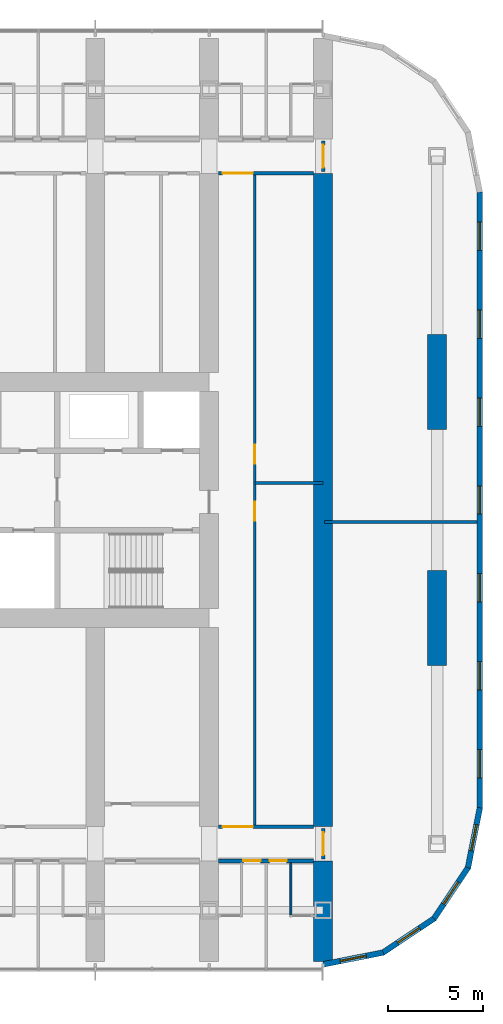
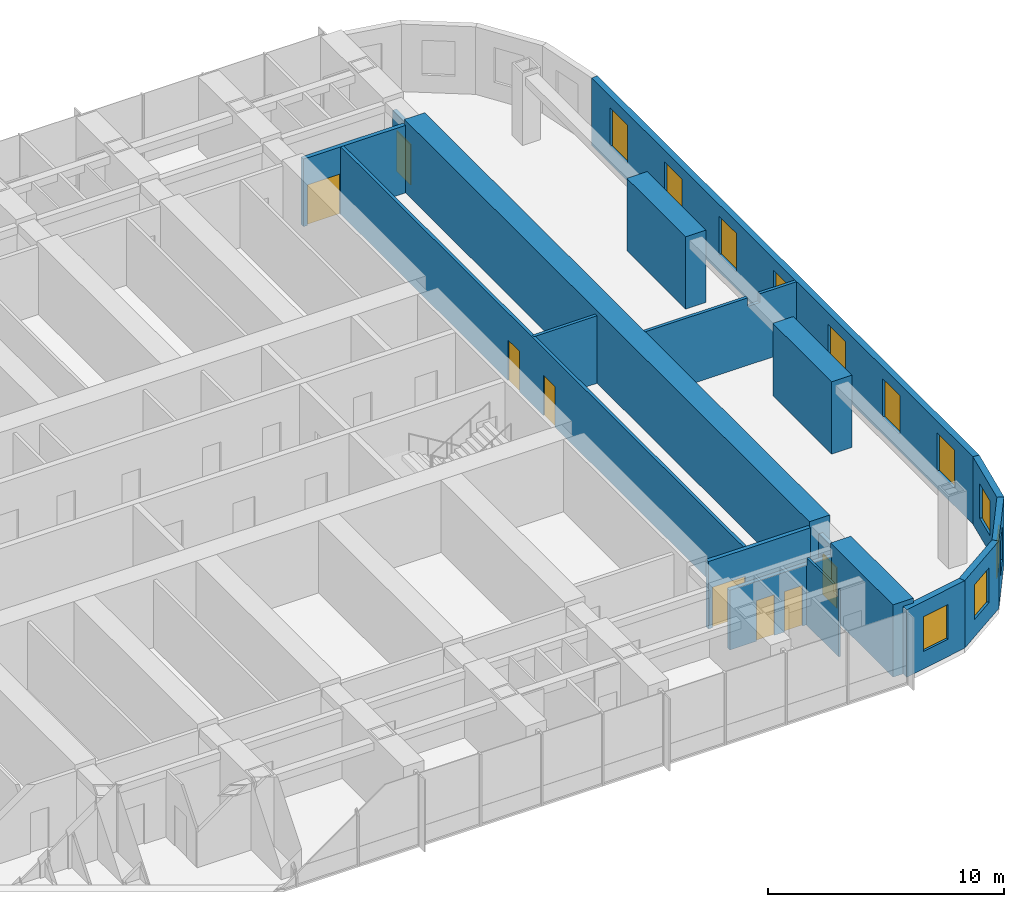
# One storey, part 17 of 23: 18 walls, 11 windows, 8 doors, 19 openings.
"""IFC4 building model written with IfcOpenShell, lengths in metres."""

from ifc_helpers import new_model, si_unit, direction, frame, frame_2d, origin, place, context, subcontext, project, spatial, polyline, rectangle, outline, extrude, material, layer, layer_set, type_object, element, fill, save


model = new_model("IFC4")

# Units and contexts
model_context = context("Model", 3, precision=1e-05, world=origin(), true_north=direction((0.0, 1.0)))
body_context = subcontext(model_context, "Body", "Model", "MODEL_VIEW")
ifc_project = project(units=[si_unit("LENGTHUNIT", "METRE"), si_unit("AREAUNIT", "SQUARE_METRE"), si_unit("VOLUMEUNIT", "CUBIC_METRE"), si_unit("PLANEANGLEUNIT", "RADIAN"), si_unit("MASSUNIT", "GRAM", prefix="KILO")], contexts=[model_context])

# Site, building, storey
site_placement = place(None, origin())
site = spatial("IfcSite", under=ifc_project, at=site_placement, CompositionType="ELEMENT")
building_placement = place(site_placement, origin())
building = spatial("IfcBuilding", under=site, at=building_placement, Name="Orbita Commons", CompositionType="ELEMENT")
storey_placement = place(building_placement, frame((0.0, 0.0, 46.449951171875)))
storey = spatial("IfcBuildingStorey", under=building, at=storey_placement, Name="L11", CompositionType="ELEMENT", Elevation=46.449951171875)

# Wall, openings, doors
ifc_material_1 = material(Name="Concrete blockwork", Category="masonry")
ifc_layer_1 = layer(ifc_material_1, 0.199951171875)
ifc_layer_set_1 = layer_set([ifc_layer_1], Name="Concrete blockwork")
wall_type_1 = type_object("IfcWallType", Name="Corridor wall 200 blockwork", PredefinedType="SOLIDWALL", material=ifc_layer_set_1)
wall_1_placement = place(storey_placement, frame((66.5, 13.0, 0.0), z_axis=(0.0, 0.0, 1.0), x_axis=(1.0, 0.0, 0.0)))
wall_1 = element("IfcWall", 1, at=wall_1_placement, inside=storey, type_object=wall_type_1, Name="Corridor wall 200 blockwork L11", PredefinedType="SOLIDWALL", context=body_context, shape_type="SweptSolid", body=[
    extrude(outline(polyline([(0.0, 0.0), (5.0, 0.0), (5.0, 3.10009765625), (0.0, 3.10009765625), (0.0, 0.0)])), frame((0.0, 0.10009765625, 0.0), z_axis=(0.0, -1.0, 0.0), x_axis=(1.0, 0.0, 0.0)), (0.0, 0.0, 1.0), 0.199951171875),
])
opening_1_placement = place(wall_1_placement, frame((1.300048828125, 0.0, 0.0)))
opening_1 = element("IfcOpeningElement", 2, at=opening_1_placement, cuts=wall_1, Name="Opening D11", PredefinedType="OPENING", context=body_context, shape_type="SweptSolid", body=[
    extrude(rectangle(XDim=0.89990234375, YDim=2.10009765625, at=frame_2d((0.449951171875, 1.050048828125))), frame((0.0, 0.10986328125, 0.0), z_axis=(0.0, -1.0, 0.0), x_axis=(1.0, 0.0, 0.0)), (0.0, 0.0, 1.0), 0.219970703125),
])
opening_2_placement = place(wall_1_placement, frame((2.675048828125, 0.0, 0.0)))
opening_2 = element("IfcOpeningElement", 3, at=opening_2_placement, cuts=wall_1, Name="Opening D11", PredefinedType="OPENING", context=body_context, shape_type="SweptSolid", body=[
    extrude(rectangle(XDim=0.89990234375, YDim=2.10009765625, at=frame_2d((0.449951171875, 1.050048828125))), frame((0.0, 0.10986328125, 0.0), z_axis=(0.0, -1.0, 0.0), x_axis=(1.0, 0.0, 0.0)), (0.0, 0.0, 1.0), 0.219970703125),
])
ifc_material_2 = material(Name="Steel-faced fire door leaf", Category="steel")
door_type_1 = type_object("IfcDoorType", Name="Corridor door 20 min 900x2100", OperationType="SINGLE_SWING_LEFT", PredefinedType="DOOR", material=ifc_material_2)
door_1_placement = place(opening_1_placement, origin())
door_1 = element("IfcDoor", 4, at=door_1_placement, inside=storey, type_object=door_type_1, Name="House bedroom L11-S18 door", OperationType="SINGLE_SWING_LEFT", OverallHeight=2.10009765625, OverallWidth=0.89990234375, PredefinedType="DOOR", context=body_context, shape_type="SweptSolid", body=[
    extrude(rectangle(XDim=0.89990234375, YDim=2.10009765625, at=frame_2d((0.449951171875, 1.050048828125))), frame((0.0, 0.02490234375, 0.0), z_axis=(0.0, -1.0, 0.0), x_axis=(1.0, 0.0, 0.0)), (0.0, 0.0, 1.0), 0.050048828125),
])
fill(opening_1, door_1)
door_2_placement = place(opening_2_placement, origin())
door_2 = element("IfcDoor", 5, at=door_2_placement, inside=storey, type_object=door_type_1, Name="House bedroom L11-S19 door", OperationType="SINGLE_SWING_LEFT", OverallHeight=2.10009765625, OverallWidth=0.89990234375, PredefinedType="DOOR", context=body_context, shape_type="SweptSolid", body=[
    extrude(rectangle(XDim=0.89990234375, YDim=2.10009765625, at=frame_2d((0.449951171875, 1.050048828125))), frame((0.0, 0.02490234375, 0.0), z_axis=(0.0, -1.0, 0.0), x_axis=(1.0, 0.0, 0.0)), (0.0, 0.0, 1.0), 0.050048828125),
])
fill(opening_2, door_2)

# Wall, opening, door
wall_2_placement = place(storey_placement, frame((72.0, 13.10009765625, 0.0), z_axis=(0.0, 0.0, 1.0), x_axis=(0.0, 1.0, 0.0)))
wall_2 = element("IfcWall", 6, at=wall_2_placement, inside=storey, type_object=wall_type_1, Name="Corridor wall 200 blockwork L11", PredefinedType="SOLIDWALL", context=body_context, shape_type="SweptSolid", body=[
    extrude(outline(polyline([(0.0, 0.0), (1.599853515625, 0.0), (1.60009765625, 3.050048828125), (0.0, 3.050048828125), (0.0, 0.0)])), frame((0.0, 0.10009765625, 0.0), z_axis=(0.0, -1.0, 0.0), x_axis=(1.0, 0.0, 0.0)), (0.0, 0.0, 1.0), 0.199951171875),
])
opening_3_placement = place(wall_2_placement, frame((0.199951171875, 0.0, 0.0)))
opening_3 = element("IfcOpeningElement", 7, at=opening_3_placement, cuts=wall_2, Name="Opening D12", PredefinedType="OPENING", context=body_context, shape_type="SweptSolid", body=[
    extrude(rectangle(XDim=1.199951171875, YDim=2.10009765625, at=frame_2d((0.60009765625, 1.050048828125))), frame((0.0, 0.10986328125, 0.0), z_axis=(0.0, -1.0, 0.0), x_axis=(1.0, 0.0, 0.0)), (0.0, 0.0, 1.0), 0.219970703125),
])
ifc_material_3 = material(Name="Steel-faced fire door leaf", Category="steel")
door_type_2 = type_object("IfcDoorType", Name="Double corridor door 20 min 1200x2100", OperationType="DOUBLE_DOOR_SINGLE_SWING", PredefinedType="DOOR", material=ifc_material_3)
door_3_placement = place(opening_3_placement, origin())
door_3 = element("IfcDoor", 8, at=door_3_placement, inside=storey, type_object=door_type_2, Name="Lounge doors", OperationType="DOUBLE_DOOR_SINGLE_SWING", OverallHeight=2.10009765625, OverallWidth=1.199951171875, PredefinedType="DOOR", context=body_context, shape_type="SweptSolid", body=[
    extrude(rectangle(XDim=1.199951171875, YDim=2.10009765625, at=frame_2d((0.60009765625, 1.050048828125))), frame((0.0, 0.02490234375, 0.0), z_axis=(0.0, -1.0, 0.0), x_axis=(1.0, 0.0, 0.0)), (0.0, 0.0, 1.0), 0.050048828125),
])
fill(opening_3, door_3)

wall_3_placement = place(storey_placement, frame((72.0, 49.300048828125, 0.0), z_axis=(0.0, 0.0, 1.0), x_axis=(0.0, 1.0, 0.0)))
wall_3 = element("IfcWall", 9, at=wall_3_placement, inside=storey, type_object=wall_type_1, Name="Corridor wall 200 blockwork L11", PredefinedType="SOLIDWALL", context=body_context, shape_type="SweptSolid", body=[
    extrude(outline(polyline([(0.0, 0.0), (1.599853515625, 0.0), (1.60009765625, 3.050048828125), (0.0, 3.050048828125), (0.0, 0.0)])), frame((0.0, 0.10009765625, 0.0), z_axis=(0.0, -1.0, 0.0), x_axis=(1.0, 0.0, 0.0)), (0.0, 0.0, 1.0), 0.199951171875),
])
opening_4_placement = place(wall_3_placement, frame((0.199951171875, 0.0, 0.0)))
opening_4 = element("IfcOpeningElement", 10, at=opening_4_placement, cuts=wall_3, Name="Opening D12", PredefinedType="OPENING", context=body_context, shape_type="SweptSolid", body=[
    extrude(rectangle(XDim=1.199951171875, YDim=2.10009765625, at=frame_2d((0.60009765625, 1.050048828125))), frame((0.0, 0.10986328125, 0.0), z_axis=(0.0, -1.0, 0.0), x_axis=(1.0, 0.0, 0.0)), (0.0, 0.0, 1.0), 0.219970703125),
])
door_4_placement = place(opening_4_placement, origin())
door_4 = element("IfcDoor", 11, at=door_4_placement, inside=storey, type_object=door_type_2, Name="Lounge doors", OperationType="DOUBLE_DOOR_SINGLE_SWING", OverallHeight=2.10009765625, OverallWidth=1.199951171875, PredefinedType="DOOR", context=body_context, shape_type="SweptSolid", body=[
    extrude(rectangle(XDim=1.199951171875, YDim=2.10009765625, at=frame_2d((0.60009765625, 1.050048828125))), frame((0.0, 0.02490234375, 0.0), z_axis=(0.0, -1.0, 0.0), x_axis=(1.0, 0.0, 0.0)), (0.0, 0.0, 1.0), 0.050048828125),
])
fill(opening_4, door_4)

ifc_material_4 = material(Name="Hollow concrete block 200", Category="concrete")
ifc_layer_2 = layer(ifc_material_4, 0.199951171875)
ifc_layer_set_2 = layer_set([ifc_layer_2], Name="Hollow concrete block 200")
wall_type_2 = type_object("IfcWallType", Name="Corridor wall 200 hollow concrete block", PredefinedType="SOLIDWALL", material=ifc_layer_set_2)
wall_4_placement = place(storey_placement, frame((66.5, 14.800048828125, 0.0), z_axis=(0.0, 0.0, 1.0), x_axis=(1.0, 0.0, 0.0)))
wall_4 = element("IfcWall", 12, at=wall_4_placement, inside=storey, type_object=wall_type_2, Name="Corridor wall 200 hollow concrete block L11", PredefinedType="SOLIDWALL", context=body_context, shape_type="SweptSolid", body=[
    extrude(rectangle(XDim=5.0, YDim=0.199951171875, at=frame_2d((2.5, 0.0))), origin(), (0.0, 0.0, 1.0), 3.5),
])
opening_5_placement = place(wall_4_placement, frame((0.199951171875, 0.0, 0.0)))
opening_5 = element("IfcOpeningElement", 13, at=opening_5_placement, cuts=wall_4, Name="Opening D10", PredefinedType="OPENING", context=body_context, shape_type="SweptSolid", body=[
    extrude(rectangle(XDim=1.60009765625, YDim=2.10009765625, at=frame_2d((0.800048828125, 1.050048828125))), frame((0.0, 0.10986328125, 0.0), z_axis=(0.0, -1.0, 0.0), x_axis=(1.0, 0.0, 0.0)), (0.0, 0.0, 1.0), 0.219970703125),
])
ifc_material_5 = material(Name="Steel-faced fire door leaf", Category="steel")
door_type_3 = type_object("IfcDoorType", Name="Double corridor door 20 min 1600x2100", OperationType="DOUBLE_DOOR_SINGLE_SWING", PredefinedType="DOOR", material=ifc_material_5)
door_5_placement = place(opening_5_placement, origin())
door_5 = element("IfcDoor", 14, at=door_5_placement, inside=storey, type_object=door_type_3, Name="Cross corridor doors", OperationType="DOUBLE_DOOR_SINGLE_SWING", OverallHeight=2.10009765625, OverallWidth=1.60009765625, PredefinedType="DOOR", context=body_context, shape_type="SweptSolid", body=[
    extrude(rectangle(XDim=1.60009765625, YDim=2.10009765625, at=frame_2d((0.800048828125, 1.050048828125))), frame((0.0, 0.02490234375, 0.0), z_axis=(0.0, -1.0, 0.0), x_axis=(1.0, 0.0, 0.0)), (0.0, 0.0, 1.0), 0.050048828125),
])
fill(opening_5, door_5)

wall_5_placement = place(storey_placement, frame((66.5, 49.199951171875, 0.0), z_axis=(0.0, 0.0, 1.0), x_axis=(1.0, 0.0, 0.0)))
wall_5 = element("IfcWall", 15, at=wall_5_placement, inside=storey, type_object=wall_type_2, Name="Corridor wall 200 hollow concrete block L11", PredefinedType="SOLIDWALL", context=body_context, shape_type="SweptSolid", body=[
    extrude(rectangle(XDim=5.0, YDim=0.199951171875, at=frame_2d((2.5, 0.0))), origin(), (0.0, 0.0, 1.0), 3.5),
])
opening_6_placement = place(wall_5_placement, frame((0.199951171875, 0.0, 0.0)))
opening_6 = element("IfcOpeningElement", 16, at=opening_6_placement, cuts=wall_5, Name="Opening D10", PredefinedType="OPENING", context=body_context, shape_type="SweptSolid", body=[
    extrude(rectangle(XDim=1.60009765625, YDim=2.10009765625, at=frame_2d((0.800048828125, 1.050048828125))), frame((0.0, 0.10986328125, 0.0), z_axis=(0.0, -1.0, 0.0), x_axis=(1.0, 0.0, 0.0)), (0.0, 0.0, 1.0), 0.219970703125),
])
door_6_placement = place(opening_6_placement, origin())
door_6 = element("IfcDoor", 17, at=door_6_placement, inside=storey, type_object=door_type_3, Name="Cross corridor doors", OperationType="DOUBLE_DOOR_SINGLE_SWING", OverallHeight=2.10009765625, OverallWidth=1.60009765625, PredefinedType="DOOR", context=body_context, shape_type="SweptSolid", body=[
    extrude(rectangle(XDim=1.60009765625, YDim=2.10009765625, at=frame_2d((0.800048828125, 1.050048828125))), frame((0.0, 0.02490234375, 0.0), z_axis=(0.0, -1.0, 0.0), x_axis=(1.0, 0.0, 0.0)), (0.0, 0.0, 1.0), 0.050048828125),
])
fill(opening_6, door_6)

# Walls
ifc_material_6 = material(Name="Concrete C50/60", Category="concrete")
ifc_layer_3 = layer(ifc_material_6, 1.0)
ifc_layer_set_3 = layer_set([ifc_layer_3], Name="Concrete C50/60")
wall_type_3 = type_object("IfcWallType", Name="Cross wall 1000 C50/60", PredefinedType="SHEAR", material=ifc_layer_set_3)
wall_6_placement = place(storey_placement, frame((72.0, 7.699951171875, 0.0), z_axis=(0.0, 0.0, 1.0), x_axis=(0.0, 1.0, 0.0)))
element("IfcWall", 18, at=wall_6_placement, inside=storey, type_object=wall_type_3, Name="Cross wall 13 south outer L11", PredefinedType="SHEAR", context=body_context, shape_type="SweptSolid", body=[
    extrude(rectangle(XDim=5.300048828125, YDim=1.0, at=frame_2d((2.64990234375, 0.0))), origin(), (0.0, 0.0, 1.0), 3.75),
])
wall_7_placement = place(storey_placement, frame((72.0, 14.800048828125, 0.0), z_axis=(0.0, 0.0, 1.0), x_axis=(0.0, 1.0, 0.0)))
element("IfcWall", 19, at=wall_7_placement, inside=storey, type_object=wall_type_3, Name="Cross wall 13 inner L11", PredefinedType="SHEAR", context=body_context, shape_type="SweptSolid", body=[
    extrude(rectangle(XDim=34.39990234375, YDim=1.0, at=frame_2d((17.199951171875, 0.0))), origin(), (0.0, 0.0, 1.0), 3.75),
])
ifc_material_7 = material(Name="Moisture-resistant plasterboard on steel studs", Category="steel")
ifc_layer_4 = layer(ifc_material_7, 0.10009765625)
ifc_layer_set_4 = layer_set([ifc_layer_4], Name="Moisture-resistant plasterboard on steel studs")
wall_type_4 = type_object("IfcWallType", Name="En-suite partition 100", PredefinedType="PARTITIONING", material=ifc_layer_set_4)
wall_8_placement = place(storey_placement, frame((70.300048828125, 10.14990234375, 0.0), z_axis=(0.0, 0.0, 1.0), x_axis=(0.0, 1.0, 0.0)))
element("IfcWall", 20, at=wall_8_placement, inside=storey, type_object=wall_type_4, Name="En-suite partition 100 L11", PredefinedType="PARTITIONING", context=body_context, shape_type="SweptSolid", body=[
    extrude(outline(polyline([(0.0, 0.0), (2.75, 0.0), (2.75, 3.10009765625), (2.701904296875, 3.10009765625), (2.699951171875, 3.5), (0.451904296875, 3.5), (0.449951171875, 3.10009765625), (0.052001953125, 3.10009765625), (0.050048828125, 3.5), (0.0, 3.5), (0.0, 0.0)])), frame((0.0, 0.050048828125, 0.0), z_axis=(0.0, -1.0, 0.0), x_axis=(1.0, 0.0, 0.0)), (0.0, 0.0, 1.0), 0.10009765625),
])
ifc_material_8 = material(Name="Concrete C50/60", Category="concrete")
ifc_layer_5 = layer(ifc_material_8, 1.0)
ifc_layer_set_5 = layer_set([ifc_layer_5], Name="Concrete C50/60")
wall_type_5 = type_object("IfcWallType", Name="End pier 1000x5000 C50/60", PredefinedType="SHEAR", material=ifc_layer_set_5)
for number, where, z_axis, x_axis, name in (
    (21, (78.0, 23.300048828125, 0.0), (0.0, 0.0, 1.0), (0.0, 1.0, 0.0), "End pier 14/C L11"),
    (22, (78.0, 35.699951171875, 0.0), (0.0, 0.0, 1.0), (0.0, 1.0, 0.0), "End pier 14/D L11"),
):
    element("IfcWall", number, at=place(storey_placement, frame(where, z_axis=z_axis, x_axis=x_axis)), inside=storey, type_object=wall_type_5, Name=name, PredefinedType="SHEAR", context=body_context, shape_type="SweptSolid", body=[
        extrude(rectangle(XDim=5.0, YDim=1.0, at=frame_2d((2.5, 0.0))), origin(), (0.0, 0.0, 1.0), 3.75),
    ])

# Wall, openings, doors
ifc_material_9 = material(Name="Gypsum plasterboard on steel studs", Category="steel")
ifc_layer_6 = layer(ifc_material_9, 0.14990234375)
ifc_layer_set_6 = layer_set([ifc_layer_6], Name="Gypsum plasterboard on steel studs")
wall_type_6 = type_object("IfcWallType", Name="Partition 150 plasterboard", PredefinedType="PARTITIONING", material=ifc_layer_set_6)
wall_9_placement = place(storey_placement, frame((68.39990234375, 14.89990234375, 0.0), z_axis=(0.0, 0.0, 1.0), x_axis=(0.0, 1.0, 0.0)))
wall_9 = element("IfcWall", 23, at=wall_9_placement, inside=storey, type_object=wall_type_6, Name="Partition 150 plasterboard L11", PredefinedType="PARTITIONING", context=body_context, shape_type="SweptSolid", body=[
    extrude(rectangle(XDim=34.2001953125, YDim=0.14990234375, at=frame_2d((17.10009765625, 0.0))), origin(), (0.0, 0.0, 1.0), 3.5),
])
opening_7_placement = place(wall_9_placement, frame((16.0, 0.0, 0.0)))
opening_7 = element("IfcOpeningElement", 24, at=opening_7_placement, cuts=wall_9, Name="Opening D06", PredefinedType="OPENING", context=body_context, shape_type="SweptSolid", body=[
    extrude(rectangle(XDim=1.0, YDim=2.10009765625, at=frame_2d((0.5, 1.050048828125))), frame((0.0, 0.0849609375, 0.0), z_axis=(0.0, -1.0, 0.0), x_axis=(1.0, 0.0, 0.0)), (0.0, 0.0, 1.0), 0.169921875),
])
opening_8_placement = place(wall_9_placement, frame((19.0, 0.0, 0.0)))
opening_8 = element("IfcOpeningElement", 25, at=opening_8_placement, cuts=wall_9, Name="Opening D06", PredefinedType="OPENING", context=body_context, shape_type="SweptSolid", body=[
    extrude(rectangle(XDim=1.0, YDim=2.10009765625, at=frame_2d((0.5, 1.050048828125))), frame((0.0, 0.0849609375, 0.0), z_axis=(0.0, -1.0, 0.0), x_axis=(1.0, 0.0, 0.0)), (0.0, 0.0, 1.0), 0.169921875),
])
ifc_material_10 = material(Name="Steel-faced fire door leaf", Category="steel")
door_type_4 = type_object("IfcDoorType", Name="Corridor door 20 min 1000x2100", OperationType="SINGLE_SWING_LEFT", PredefinedType="DOOR", material=ifc_material_10)
door_7_placement = place(opening_7_placement, origin())
door_7 = element("IfcDoor", 26, at=door_7_placement, inside=storey, type_object=door_type_4, Name="Prayer room door", OperationType="SINGLE_SWING_LEFT", OverallHeight=2.10009765625, OverallWidth=1.0, PredefinedType="DOOR", context=body_context, shape_type="SweptSolid", body=[
    extrude(rectangle(XDim=1.0, YDim=2.10009765625, at=frame_2d((0.5, 1.050048828125))), frame((0.0, 0.02490234375, 0.0), z_axis=(0.0, -1.0, 0.0), x_axis=(1.0, 0.0, 0.0)), (0.0, 0.0, 1.0), 0.050048828125),
])
fill(opening_7, door_7)
door_8_placement = place(opening_8_placement, origin())
door_8 = element("IfcDoor", 27, at=door_8_placement, inside=storey, type_object=door_type_4, Name="Quiet room en door", OperationType="SINGLE_SWING_LEFT", OverallHeight=2.10009765625, OverallWidth=1.0, PredefinedType="DOOR", context=body_context, shape_type="SweptSolid", body=[
    extrude(rectangle(XDim=1.0, YDim=2.10009765625, at=frame_2d((0.5, 1.050048828125))), frame((0.0, 0.02490234375, 0.0), z_axis=(0.0, -1.0, 0.0), x_axis=(1.0, 0.0, 0.0)), (0.0, 0.0, 1.0), 0.050048828125),
])
fill(opening_8, door_8)

# Walls
wall_10_placement = place(storey_placement, frame((68.39990234375, 32.89990234375, 0.0), z_axis=(0.0, 0.0, 1.0), x_axis=(1.0, 0.0, 0.0)))
element("IfcWall", 28, at=wall_10_placement, inside=storey, type_object=wall_type_6, Name="Partition 150 plasterboard L11", PredefinedType="PARTITIONING", context=body_context, shape_type="SweptSolid", body=[
    extrude(rectangle(XDim=3.60009765625, YDim=0.14990234375, at=frame_2d((1.800048828125, 0.0))), origin(), (0.0, 0.0, 1.0), 3.5),
])
wall_11_placement = place(storey_placement, frame((72.074951171875, 30.85009765625, 0.0), z_axis=(0.0, 0.0, 1.0), x_axis=(1.0, 0.0, 0.0)))
element("IfcWall", 29, at=wall_11_placement, inside=storey, type_object=wall_type_6, Name="Partition 150 plasterboard L11", PredefinedType="PARTITIONING", context=body_context, shape_type="SweptSolid", body=[
    extrude(outline(polyline([(0.0, 0.0), (8.02001953125, 0.0), (8.02001953125, 3.5), (6.22705078125, 3.5), (6.22509765625, 3.050048828125), (5.626953125, 3.050048828125), (5.625, 3.5), (0.0, 3.5), (0.0, 0.0)])), frame((0.0, 0.074951171875, 0.0), z_axis=(0.0, -1.0, 0.0), x_axis=(1.0, 0.0, 0.0)), (0.0, 0.0, 1.0), 0.14990234375),
])

# Wall, openings, windows
ifc_material_11 = material(Name="Precast concrete C40/50, white board-marked finish", Category="concrete")
ifc_layer_7 = layer(ifc_material_11, 0.300048828125)
ifc_layer_set_7 = layer_set([ifc_layer_7], Name="Precast concrete C40/50, white board-marked finish")
wall_type_7 = type_object("IfcWallType", Name="Precast concrete end shield 300", PredefinedType="SOLIDWALL", material=ifc_layer_set_7)
wall_12_placement = place(storey_placement, frame((80.25, 15.800048828125, 0.0), z_axis=(0.0, 0.0, 1.0), x_axis=(0.0, 1.0, 0.0)))
wall_12 = element("IfcWall", 30, at=wall_12_placement, inside=storey, type_object=wall_type_7, Name="End shield E L11", PredefinedType="SOLIDWALL", context=body_context, shape_type="SweptSolid", body=[
    extrude(outline(polyline([(-0.014892578125, -0.14990234375), (32.414794921875, -0.14990234375), (32.385009765625, 0.14990234375), (0.014892578125, 0.14990234375), (-0.014892578125, -0.14990234375)])), origin(), (0.0, 0.0, 1.0), 3.5),
])
opening_9_placement = place(wall_12_placement, frame((1.564208984375, 0.0, 0.89990234375)))
opening_9 = element("IfcOpeningElement", 31, at=opening_9_placement, cuts=wall_12, Name="Opening W01", PredefinedType="OPENING", context=body_context, shape_type="SweptSolid", body=[
    extrude(rectangle(XDim=1.5, YDim=2.0, at=frame_2d((0.75, 1.0))), frame((0.0, 0.159912109375, 0.0), z_axis=(0.0, -1.0, 0.0), x_axis=(1.0, 0.0, 0.0)), (0.0, 0.0, 1.0), 0.320068359375),
])
opening_10_placement = place(wall_12_placement, frame((6.19287109375, 0.0, 0.89990234375)))
opening_10 = element("IfcOpeningElement", 32, at=opening_10_placement, cuts=wall_12, Name="Opening W01", PredefinedType="OPENING", context=body_context, shape_type="SweptSolid", body=[
    extrude(rectangle(XDim=1.5, YDim=2.0, at=frame_2d((0.75, 1.0))), frame((0.0, 0.159912109375, 0.0), z_axis=(0.0, -1.0, 0.0), x_axis=(1.0, 0.0, 0.0)), (0.0, 0.0, 1.0), 0.320068359375),
])
opening_11_placement = place(wall_12_placement, frame((10.821533203125, 0.0, 0.89990234375)))
opening_11 = element("IfcOpeningElement", 33, at=opening_11_placement, cuts=wall_12, Name="Opening W01", PredefinedType="OPENING", context=body_context, shape_type="SweptSolid", body=[
    extrude(rectangle(XDim=1.5, YDim=2.0, at=frame_2d((0.75, 1.0))), frame((0.0, 0.159912109375, 0.0), z_axis=(0.0, -1.0, 0.0), x_axis=(1.0, 0.0, 0.0)), (0.0, 0.0, 1.0), 0.320068359375),
])
opening_12_placement = place(wall_12_placement, frame((15.449951171875, 0.0, 0.89990234375)))
opening_12 = element("IfcOpeningElement", 34, at=opening_12_placement, cuts=wall_12, Name="Opening W01", PredefinedType="OPENING", context=body_context, shape_type="SweptSolid", body=[
    extrude(rectangle(XDim=1.5, YDim=2.0, at=frame_2d((0.75, 1.0))), frame((0.0, 0.159912109375, 0.0), z_axis=(0.0, -1.0, 0.0), x_axis=(1.0, 0.0, 0.0)), (0.0, 0.0, 1.0), 0.320068359375),
])
opening_13_placement = place(wall_12_placement, frame((20.07861328125, 0.0, 0.89990234375)))
opening_13 = element("IfcOpeningElement", 35, at=opening_13_placement, cuts=wall_12, Name="Opening W01", PredefinedType="OPENING", context=body_context, shape_type="SweptSolid", body=[
    extrude(rectangle(XDim=1.5, YDim=2.0, at=frame_2d((0.75, 1.0))), frame((0.0, 0.159912109375, 0.0), z_axis=(0.0, -1.0, 0.0), x_axis=(1.0, 0.0, 0.0)), (0.0, 0.0, 1.0), 0.320068359375),
])
opening_14_placement = place(wall_12_placement, frame((24.70703125, 0.0, 0.89990234375)))
opening_14 = element("IfcOpeningElement", 36, at=opening_14_placement, cuts=wall_12, Name="Opening W01", PredefinedType="OPENING", context=body_context, shape_type="SweptSolid", body=[
    extrude(rectangle(XDim=1.5, YDim=2.0, at=frame_2d((0.75, 1.0))), frame((0.0, 0.159912109375, 0.0), z_axis=(0.0, -1.0, 0.0), x_axis=(1.0, 0.0, 0.0)), (0.0, 0.0, 1.0), 0.320068359375),
])
opening_15_placement = place(wall_12_placement, frame((29.335693359375, 0.0, 0.89990234375)))
opening_15 = element("IfcOpeningElement", 37, at=opening_15_placement, cuts=wall_12, Name="Opening W01", PredefinedType="OPENING", context=body_context, shape_type="SweptSolid", body=[
    extrude(rectangle(XDim=1.5, YDim=2.0, at=frame_2d((0.75, 1.0))), frame((0.0, 0.159912109375, 0.0), z_axis=(0.0, -1.0, 0.0), x_axis=(1.0, 0.0, 0.0)), (0.0, 0.0, 1.0), 0.320068359375),
])
ifc_material_12 = material(Name="Aluminium frame, clear double glazing", Category="aluminium")
window_type_1 = type_object("IfcWindowType", Name="Deep-set window 1500x2000", PartitioningType="SINGLE_PANEL", PredefinedType="WINDOW", material=ifc_material_12)
window_1_placement = place(opening_9_placement, origin())
window_1 = element("IfcWindow", 38, at=window_1_placement, inside=storey, type_object=window_type_1, Name="Window L11-E 1", OverallHeight=2.0, OverallWidth=1.5, PartitioningType="SINGLE_PANEL", PredefinedType="WINDOW", context=body_context, shape_type="SweptSolid", body=[
    extrude(rectangle(XDim=1.5, YDim=2.0, at=frame_2d((0.75, 1.0))), frame((0.0, 0.030029296875, 0.0), z_axis=(0.0, -1.0, 0.0), x_axis=(1.0, 0.0, 0.0)), (0.0, 0.0, 1.0), 0.06005859375),
])
fill(opening_9, window_1)
window_2_placement = place(opening_10_placement, origin())
window_2 = element("IfcWindow", 39, at=window_2_placement, inside=storey, type_object=window_type_1, Name="Window L11-E 2", OverallHeight=2.0, OverallWidth=1.5, PartitioningType="SINGLE_PANEL", PredefinedType="WINDOW", context=body_context, shape_type="SweptSolid", body=[
    extrude(rectangle(XDim=1.5, YDim=2.0, at=frame_2d((0.75, 1.0))), frame((0.0, 0.030029296875, 0.0), z_axis=(0.0, -1.0, 0.0), x_axis=(1.0, 0.0, 0.0)), (0.0, 0.0, 1.0), 0.06005859375),
])
fill(opening_10, window_2)
window_3_placement = place(opening_11_placement, origin())
window_3 = element("IfcWindow", 40, at=window_3_placement, inside=storey, type_object=window_type_1, Name="Window L11-E 3", OverallHeight=2.0, OverallWidth=1.5, PartitioningType="SINGLE_PANEL", PredefinedType="WINDOW", context=body_context, shape_type="SweptSolid", body=[
    extrude(rectangle(XDim=1.5, YDim=2.0, at=frame_2d((0.75, 1.0))), frame((0.0, 0.030029296875, 0.0), z_axis=(0.0, -1.0, 0.0), x_axis=(1.0, 0.0, 0.0)), (0.0, 0.0, 1.0), 0.06005859375),
])
fill(opening_11, window_3)
window_4_placement = place(opening_12_placement, origin())
window_4 = element("IfcWindow", 41, at=window_4_placement, inside=storey, type_object=window_type_1, Name="Window L11-E 4", OverallHeight=2.0, OverallWidth=1.5, PartitioningType="SINGLE_PANEL", PredefinedType="WINDOW", context=body_context, shape_type="SweptSolid", body=[
    extrude(rectangle(XDim=1.5, YDim=2.0, at=frame_2d((0.75, 1.0))), frame((0.0, 0.030029296875, 0.0), z_axis=(0.0, -1.0, 0.0), x_axis=(1.0, 0.0, 0.0)), (0.0, 0.0, 1.0), 0.06005859375),
])
fill(opening_12, window_4)
window_5_placement = place(opening_13_placement, origin())
window_5 = element("IfcWindow", 42, at=window_5_placement, inside=storey, type_object=window_type_1, Name="Window L11-E 5", OverallHeight=2.0, OverallWidth=1.5, PartitioningType="SINGLE_PANEL", PredefinedType="WINDOW", context=body_context, shape_type="SweptSolid", body=[
    extrude(rectangle(XDim=1.5, YDim=2.0, at=frame_2d((0.75, 1.0))), frame((0.0, 0.030029296875, 0.0), z_axis=(0.0, -1.0, 0.0), x_axis=(1.0, 0.0, 0.0)), (0.0, 0.0, 1.0), 0.06005859375),
])
fill(opening_13, window_5)
window_6_placement = place(opening_14_placement, origin())
window_6 = element("IfcWindow", 43, at=window_6_placement, inside=storey, type_object=window_type_1, Name="Window L11-E 6", OverallHeight=2.0, OverallWidth=1.5, PartitioningType="SINGLE_PANEL", PredefinedType="WINDOW", context=body_context, shape_type="SweptSolid", body=[
    extrude(rectangle(XDim=1.5, YDim=2.0, at=frame_2d((0.75, 1.0))), frame((0.0, 0.030029296875, 0.0), z_axis=(0.0, -1.0, 0.0), x_axis=(1.0, 0.0, 0.0)), (0.0, 0.0, 1.0), 0.06005859375),
])
fill(opening_14, window_6)
window_7_placement = place(opening_15_placement, origin())
window_7 = element("IfcWindow", 44, at=window_7_placement, inside=storey, type_object=window_type_1, Name="Window L11-E 7", OverallHeight=2.0, OverallWidth=1.5, PartitioningType="SINGLE_PANEL", PredefinedType="WINDOW", context=body_context, shape_type="SweptSolid", body=[
    extrude(rectangle(XDim=1.5, YDim=2.0, at=frame_2d((0.75, 1.0))), frame((0.0, 0.030029296875, 0.0), z_axis=(0.0, -1.0, 0.0), x_axis=(1.0, 0.0, 0.0)), (0.0, 0.0, 1.0), 0.06005859375),
])
fill(opening_15, window_7)

# Wall, opening, window
wall_13_placement = place(storey_placement, frame((72.0, 7.550048828125, 0.0), z_axis=(0.0, 0.0, 1.0), x_axis=(0.980787251524, 0.195080412259, 0.0)))
wall_13 = element("IfcWall", 45, at=wall_13_placement, inside=storey, type_object=wall_type_7, Name="End shield SE chord 1 L11", PredefinedType="SOLIDWALL", context=body_context, shape_type="SweptSolid", body=[
    extrude(outline(polyline([(-0.02978515625, -0.14990234375), (3.24853515625, -0.14990234375), (3.18896484375, 0.14990234375), (0.02978515625, 0.14990234375), (-0.02978515625, -0.14990234375)])), origin(), (0.0, 0.0, 1.0), 3.5),
])
opening_16_placement = place(wall_13_placement, frame((0.909423828125, 0.0, 0.89990234375)))
opening_16 = element("IfcOpeningElement", 46, at=opening_16_placement, cuts=wall_13, Name="Opening W02", PredefinedType="OPENING", context=body_context, shape_type="SweptSolid", body=[
    extrude(rectangle(XDim=1.39990234375, YDim=1.800048828125, at=frame_2d((0.699951171875, 0.89990234375))), frame((0.0, 0.159912109375, 0.0), z_axis=(0.0, -1.0, 0.0), x_axis=(1.0, 0.0, 0.0)), (0.0, 0.0, 1.0), 0.320068359375),
])
ifc_material_13 = material(Name="Aluminium frame, clear double glazing", Category="aluminium")
window_type_2 = type_object("IfcWindowType", Name="Deep-set window 1400x1800", PartitioningType="SINGLE_PANEL", PredefinedType="WINDOW", material=ifc_material_13)
window_8_placement = place(opening_16_placement, origin())
window_8 = element("IfcWindow", 47, at=window_8_placement, inside=storey, type_object=window_type_2, Name="Window L11-SE0", OverallHeight=1.800048828125, OverallWidth=1.39990234375, PartitioningType="SINGLE_PANEL", PredefinedType="WINDOW", context=body_context, shape_type="SweptSolid", body=[
    extrude(rectangle(XDim=1.39990234375, YDim=1.800048828125, at=frame_2d((0.699951171875, 0.89990234375))), frame((0.0, 0.030029296875, 0.0), z_axis=(0.0, -1.0, 0.0), x_axis=(1.0, 0.0, 0.0)), (0.0, 0.0, 1.0), 0.06005859375),
])
fill(opening_16, window_8)

wall_14_placement = place(storey_placement, frame((75.156982421875, 8.177978515625, 0.0), z_axis=(0.0, 0.0, 1.0), x_axis=(0.831478105043, 0.555557522525, 0.0)))
wall_14 = element("IfcWall", 48, at=wall_14_placement, inside=storey, type_object=wall_type_7, Name="End shield SE chord 2 L11", PredefinedType="SOLIDWALL", context=body_context, shape_type="SweptSolid", body=[
    extrude(outline(polyline([(-0.02978515625, -0.14990234375), (3.248779296875, -0.14990234375), (3.189208984375, 0.14990234375), (0.02978515625, 0.14990234375), (-0.02978515625, -0.14990234375)])), origin(), (0.0, 0.0, 1.0), 3.5),
])
opening_17_placement = place(wall_14_placement, frame((0.909423828125, 0.0, 0.89990234375)))
opening_17 = element("IfcOpeningElement", 49, at=opening_17_placement, cuts=wall_14, Name="Opening W02", PredefinedType="OPENING", context=body_context, shape_type="SweptSolid", body=[
    extrude(rectangle(XDim=1.39990234375, YDim=1.800048828125, at=frame_2d((0.699951171875, 0.89990234375))), frame((0.0, 0.159912109375, 0.0), z_axis=(0.0, -1.0, 0.0), x_axis=(1.0, 0.0, 0.0)), (0.0, 0.0, 1.0), 0.320068359375),
])
window_9_placement = place(opening_17_placement, origin())
window_9 = element("IfcWindow", 50, at=window_9_placement, inside=storey, type_object=window_type_2, Name="Window L11-SE1", OverallHeight=1.800048828125, OverallWidth=1.39990234375, PartitioningType="SINGLE_PANEL", PredefinedType="WINDOW", context=body_context, shape_type="SweptSolid", body=[
    extrude(rectangle(XDim=1.39990234375, YDim=1.800048828125, at=frame_2d((0.699951171875, 0.89990234375))), frame((0.0, 0.030029296875, 0.0), z_axis=(0.0, -1.0, 0.0), x_axis=(1.0, 0.0, 0.0)), (0.0, 0.0, 1.0), 0.06005859375),
])
fill(opening_17, window_9)

wall_15_placement = place(storey_placement, frame((77.83349609375, 9.96630859375, 0.0), z_axis=(0.0, 0.0, 1.0), x_axis=(0.555609954424, 0.831443069936, 0.0)))
wall_15 = element("IfcWall", 51, at=wall_15_placement, inside=storey, type_object=wall_type_7, Name="End shield SE chord 3 L11", PredefinedType="SOLIDWALL", context=body_context, shape_type="SweptSolid", body=[
    extrude(outline(polyline([(-0.02978515625, -0.14990234375), (3.2490234375, -0.14990234375), (3.189453125, 0.14990234375), (0.02978515625, 0.14990234375), (-0.02978515625, -0.14990234375)])), origin(), (0.0, 0.0, 1.0), 3.5),
])
opening_18_placement = place(wall_15_placement, frame((0.909423828125, 0.0, 0.89990234375)))
opening_18 = element("IfcOpeningElement", 52, at=opening_18_placement, cuts=wall_15, Name="Opening W02", PredefinedType="OPENING", context=body_context, shape_type="SweptSolid", body=[
    extrude(rectangle(XDim=1.39990234375, YDim=1.800048828125, at=frame_2d((0.699951171875, 0.89990234375))), frame((0.0, 0.159912109375, 0.0), z_axis=(0.0, -1.0, 0.0), x_axis=(1.0, 0.0, 0.0)), (0.0, 0.0, 1.0), 0.320068359375),
])
window_10_placement = place(opening_18_placement, origin())
window_10 = element("IfcWindow", 53, at=window_10_placement, inside=storey, type_object=window_type_2, Name="Window L11-SE2", OverallHeight=1.800048828125, OverallWidth=1.39990234375, PartitioningType="SINGLE_PANEL", PredefinedType="WINDOW", context=body_context, shape_type="SweptSolid", body=[
    extrude(rectangle(XDim=1.39990234375, YDim=1.800048828125, at=frame_2d((0.699951171875, 0.89990234375))), frame((0.0, 0.030029296875, 0.0), z_axis=(0.0, -1.0, 0.0), x_axis=(1.0, 0.0, 0.0)), (0.0, 0.0, 1.0), 0.06005859375),
])
fill(opening_18, window_10)

wall_16_placement = place(storey_placement, frame((79.6220703125, 12.642822265625, 0.0), z_axis=(0.0, 0.0, 1.0), x_axis=(0.195065901187, 0.980790137692, 0.0)))
wall_16 = element("IfcWall", 54, at=wall_16_placement, inside=storey, type_object=wall_type_7, Name="End shield SE chord 4 L11", PredefinedType="SOLIDWALL", context=body_context, shape_type="SweptSolid", body=[
    extrude(outline(polyline([(-0.02978515625, -0.14990234375), (3.23388671875, -0.14990234375), (3.2041015625, 0.14990234375), (0.02978515625, 0.14990234375), (-0.02978515625, -0.14990234375)])), origin(), (0.0, 0.0, 1.0), 3.5),
])
opening_19_placement = place(wall_16_placement, frame((0.909423828125, 0.0, 0.89990234375)))
opening_19 = element("IfcOpeningElement", 55, at=opening_19_placement, cuts=wall_16, Name="Opening W02", PredefinedType="OPENING", context=body_context, shape_type="SweptSolid", body=[
    extrude(rectangle(XDim=1.39990234375, YDim=1.800048828125, at=frame_2d((0.699951171875, 0.89990234375))), frame((0.0, 0.159912109375, 0.0), z_axis=(0.0, -1.0, 0.0), x_axis=(1.0, 0.0, 0.0)), (0.0, 0.0, 1.0), 0.320068359375),
])
window_11_placement = place(opening_19_placement, origin())
window_11 = element("IfcWindow", 56, at=window_11_placement, inside=storey, type_object=window_type_2, Name="Window L11-SE3", OverallHeight=1.800048828125, OverallWidth=1.39990234375, PartitioningType="SINGLE_PANEL", PredefinedType="WINDOW", context=body_context, shape_type="SweptSolid", body=[
    extrude(rectangle(XDim=1.39990234375, YDim=1.800048828125, at=frame_2d((0.699951171875, 0.89990234375))), frame((0.0, 0.030029296875, 0.0), z_axis=(0.0, -1.0, 0.0), x_axis=(1.0, 0.0, 0.0)), (0.0, 0.0, 1.0), 0.06005859375),
])
fill(opening_19, window_11)

save(model, "model.ifc")
